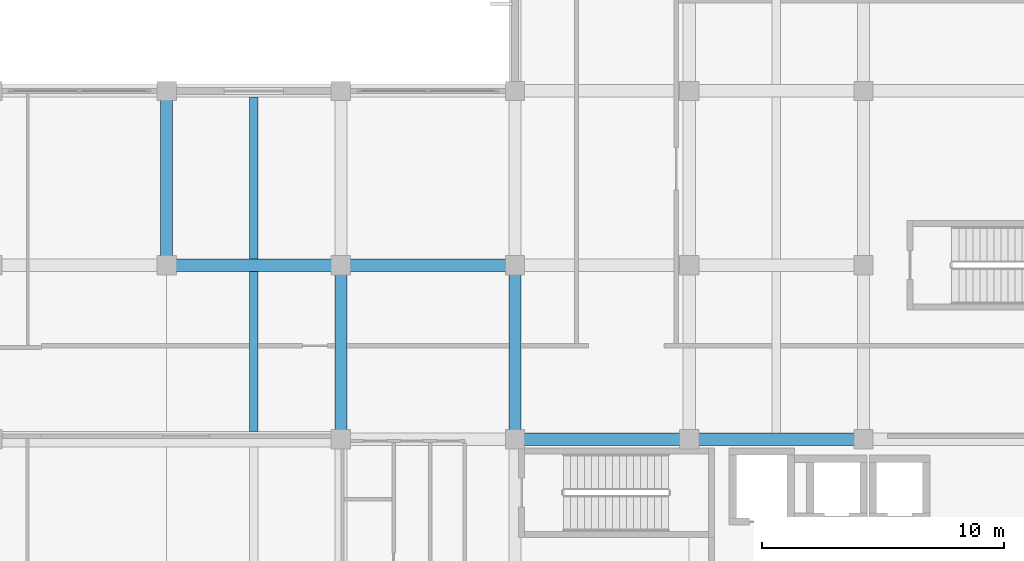
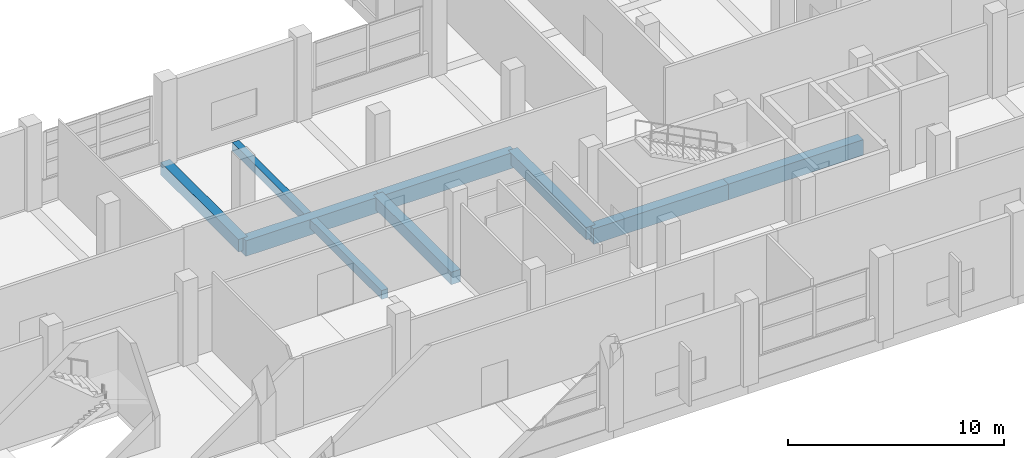
# One storey, part 29 of 140: 9 beams.
"""IFC4 building model written with IfcOpenShell, lengths in metres."""

from ifc_helpers import new_model, si_unit, direction, frame, origin, origin_2d, place, context, subcontext, project, spatial, rectangle, extrude, material, material_profile, profile_set, type_object, element, save


model = new_model("IFC4")

# Units and contexts
model_context = context("Model", 3, precision=1e-05, world=origin(), true_north=direction((0.0, 1.0)))
body_context = subcontext(model_context, "Body", "Model", "MODEL_VIEW")
ifc_project = project(units=[si_unit("LENGTHUNIT", "METRE"), si_unit("AREAUNIT", "SQUARE_METRE"), si_unit("VOLUMEUNIT", "CUBIC_METRE"), si_unit("PLANEANGLEUNIT", "RADIAN"), si_unit("MASSUNIT", "GRAM", prefix="KILO")], contexts=[model_context])

# Site, building, storey
site_placement = place(None, origin())
site = spatial("IfcSite", under=ifc_project, at=site_placement, CompositionType="ELEMENT")
building_placement = place(site_placement, origin())
building = spatial("IfcBuilding", under=site, at=building_placement, Name="Seraya Terrace Polytechnic", CompositionType="ELEMENT")
storey_placement = place(building_placement, frame((0.0, 0.0, 9.60009765625)))
storey = spatial("IfcBuildingStorey", under=building, at=storey_placement, Name="L02", CompositionType="ELEMENT", Elevation=9.60009765625)

# Beams
ifc_material = material(Name="Concrete C40/50", Category="concrete")
ifc_material_profile_1 = material_profile(ifc_material, rectangle(XDim=0.52001953125, YDim=0.8798828125, at=origin_2d()), Name="RC 520x880")
ifc_profile_set_1 = profile_set([ifc_material_profile_1], Name="Concrete C40/50")
beam_type_1 = type_object("IfcBeamType", Name="BM-04", PredefinedType="BEAM", material=ifc_profile_set_1)
beam_1_placement = place(storey_placement, frame((79.199951171875, 14.39990234375, -0.440185546875), z_axis=(1.0, 0.0, 0.0), x_axis=(0.0, 1.0, 0.0)))
element("IfcBeam", 1, at=beam_1_placement, inside=storey, type_object=beam_type_1, Name="Beam BM-04 L02 X (79.2..86.4, 14.4)", PredefinedType="BEAM", context=body_context, shape_type="SweptSolid", body=[
    extrude(rectangle(XDim=0.52001953125, YDim=0.8798828125, at=origin_2d()), origin(), (0.0, 0.0, 1.0), 7.199951171875),
])
beam_2_placement = place(storey_placement, frame((86.39990234375, 14.39990234375, -0.440185546875), z_axis=(1.0, 0.0, 0.0), x_axis=(0.0, 1.0, 0.0)))
element("IfcBeam", 2, at=beam_2_placement, inside=storey, type_object=beam_type_1, Name="Beam BM-04 L02 X (86.4..93.6, 14.4)", PredefinedType="BEAM", context=body_context, shape_type="SweptSolid", body=[
    extrude(rectangle(XDim=0.52001953125, YDim=0.8798828125, at=origin_2d()), origin(), (0.0, 0.0, 1.0), 7.2001953125),
])
for number, where, z_axis, x_axis, name in (
    (3, (64.800048828125, 21.60009765625, -0.440185546875), (1.0, 0.0, 0.0), (0.0, 1.0, 0.0), "Beam BM-04 L02 X (64.8..72.0, 21.6)"),
    (4, (72.0, 21.60009765625, -0.440185546875), (1.0, 0.0, 0.0), (0.0, 1.0, 0.0), "Beam BM-04 L02 X (72.0..79.2, 21.6)"),
):
    element("IfcBeam", number, at=place(storey_placement, frame(where, z_axis=z_axis, x_axis=x_axis)), inside=storey, type_object=beam_type_1, Name=name, PredefinedType="BEAM", context=body_context, shape_type="SweptSolid", body=[
        extrude(rectangle(XDim=0.52001953125, YDim=0.8798828125, at=origin_2d()), origin(), (0.0, 0.0, 1.0), 7.199951171875),
    ])
ifc_material_profile_2 = material_profile(ifc_material, rectangle(XDim=0.5, YDim=0.699951171875, at=origin_2d()), Name="RC 500x700")
ifc_profile_set_2 = profile_set([ifc_material_profile_2], Name="Concrete C40/50")
beam_type_2 = type_object("IfcBeamType", Name="BM-07", PredefinedType="BEAM", material=ifc_profile_set_2)
beam_3_placement = place(storey_placement, frame((64.800048828125, 21.60009765625, -0.35009765625), z_axis=(0.0, 1.0, 0.0), x_axis=(-1.0, 0.0, 0.0)))
element("IfcBeam", 5, at=beam_3_placement, inside=storey, type_object=beam_type_2, Name="Beam BM-07 L02 Y (64.8, 21.6..28.8)", PredefinedType="BEAM", context=body_context, shape_type="SweptSolid", body=[
    extrude(rectangle(XDim=0.5, YDim=0.699951171875, at=origin_2d()), origin(), (0.0, 0.0, 1.0), 7.199951171875),
])
for number, where, z_axis, x_axis, name in (
    (6, (72.0, 14.39990234375, -0.35009765625), (0.0, 1.0, 0.0), (-1.0, 0.0, 0.0), "Beam BM-07 L02 Y (72.0, 14.4..21.6)"),
    (7, (79.199951171875, 14.39990234375, -0.35009765625), (0.0, 1.0, 0.0), (-1.0, 0.0, 0.0), "Beam BM-07 L02 Y (79.2, 14.4..21.6)"),
):
    element("IfcBeam", number, at=place(storey_placement, frame(where, z_axis=z_axis, x_axis=x_axis)), inside=storey, type_object=beam_type_2, Name=name, PredefinedType="BEAM", context=body_context, shape_type="SweptSolid", body=[
        extrude(rectangle(XDim=0.5, YDim=0.699951171875, at=origin_2d()), origin(), (0.0, 0.0, 1.0), 7.2001953125),
    ])
ifc_material_profile_3 = material_profile(ifc_material, rectangle(XDim=0.35009765625, YDim=0.5, at=origin_2d()), Name="RC 350x500")
ifc_profile_set_3 = profile_set([ifc_material_profile_3], Name="Concrete C40/50")
beam_type_3 = type_object("IfcBeamType", Name="JS-03", PredefinedType="JOIST", material=ifc_profile_set_3)
beam_4_placement = place(storey_placement, frame((68.39990234375, 14.72509765625, -0.25), z_axis=(0.0, 1.0, 0.0), x_axis=(-1.0, 0.0, 0.0)))
element("IfcBeam", 8, at=beam_4_placement, inside=storey, type_object=beam_type_3, Name="Secondary joist JS-03 L02", PredefinedType="JOIST", context=body_context, shape_type="SweptSolid", body=[
    extrude(rectangle(XDim=0.35009765625, YDim=0.5, at=origin_2d()), origin(), (0.0, 0.0, 1.0), 6.614990234375),
])
beam_5_placement = place(storey_placement, frame((68.39990234375, 21.860107421875, -0.25), z_axis=(0.0, 1.0, 0.0), x_axis=(-1.0, 0.0, 0.0)))
element("IfcBeam", 9, at=beam_5_placement, inside=storey, type_object=beam_type_3, Name="Secondary joist JS-03 L02", PredefinedType="JOIST", context=body_context, shape_type="SweptSolid", body=[
    extrude(rectangle(XDim=0.35009765625, YDim=0.5, at=origin_2d()), origin(), (0.0, 0.0, 1.0), 6.679931640625),
])

save(model, "model.ifc")
